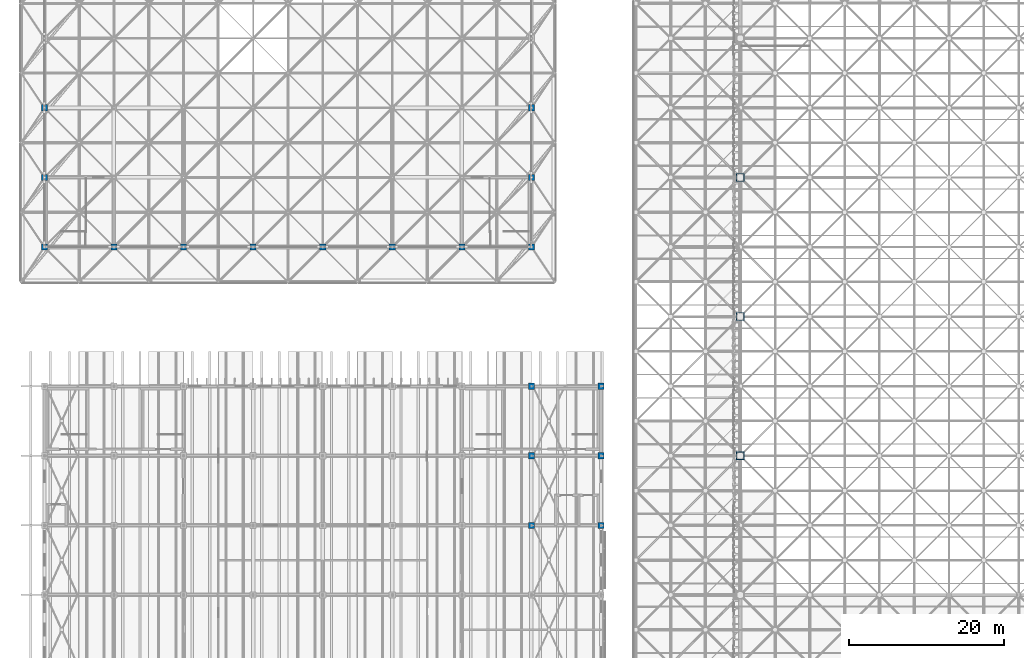
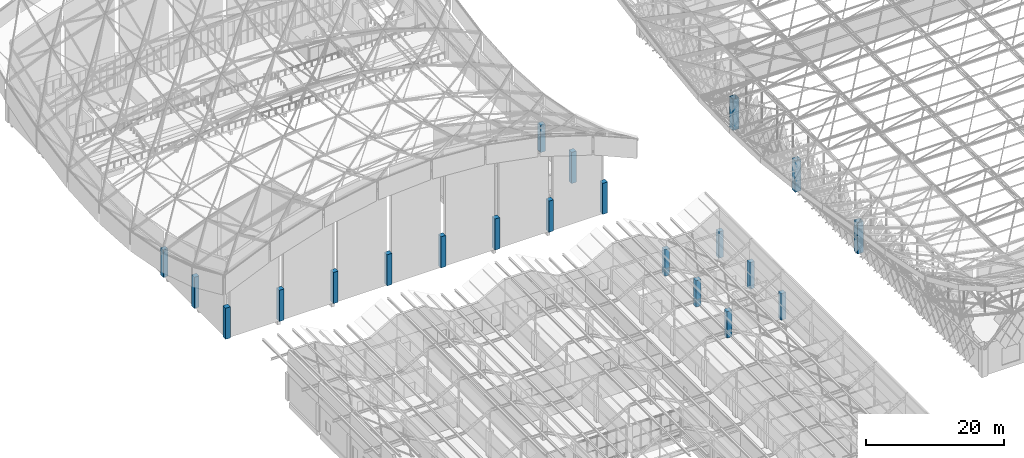
# One storey, part 3 of 437: 21 columns.
"""IFC4 building model written with IfcOpenShell, lengths in metres."""

from ifc_helpers import new_model, si_unit, direction, frame, origin, origin_2d, place, context, subcontext, project, spatial, rectangle, hollow_rectangle, extrude, material, material_profile, profile_set, type_object, element, save


model = new_model("IFC4")

# Units and contexts
model_context = context("Model", 3, precision=1e-05, world=origin(), true_north=direction((0.0, 1.0)))
body_context = subcontext(model_context, "Body", "Model", "MODEL_VIEW")
ifc_project = project(units=[si_unit("LENGTHUNIT", "METRE"), si_unit("AREAUNIT", "SQUARE_METRE"), si_unit("VOLUMEUNIT", "CUBIC_METRE"), si_unit("PLANEANGLEUNIT", "RADIAN"), si_unit("MASSUNIT", "GRAM", prefix="KILO")], contexts=[model_context])

# Site, building, storey
site_placement = place(None, origin())
site = spatial("IfcSite", under=ifc_project, at=site_placement, CompositionType="ELEMENT")
building_placement = place(site_placement, origin())
building = spatial("IfcBuilding", under=site, at=building_placement, Name="Opaline Strait Convention Centre", CompositionType="ELEMENT")
storey_placement = place(building_placement, frame((0.0, 0.0, 11.5)))
storey = spatial("IfcBuildingStorey", under=building, at=storey_placement, Name="L02", CompositionType="ELEMENT", Elevation=11.5)

# Columns
ifc_material_1 = material(Name="Steel Q355B", Category="steel")
ifc_material_profile_1 = material_profile(ifc_material_1, hollow_rectangle(XDim=1.0, YDim=1.0, WallThickness=0.031982421875, at=origin_2d()), Name="BOX 1000x1000x32")
ifc_profile_set_1 = profile_set([ifc_material_profile_1], Name="Steel Q355B")
column_type_1 = type_object("IfcColumnType", Name="CFT column BOX 1000x1000x32 C60 fill", PredefinedType="COLUMN", material=ifc_profile_set_1)
for number, where, z_axis, x_axis, name in (
    (1, (99.0, 90.0, 0.0), (0.0, 0.0, 1.0), (1.0, 0.0, 0.0), "Roof column XC-03"),
    (2, (99.0, 108.0, 0.0), (0.0, 0.0, 1.0), (1.0, 0.0, 0.0), "Roof column XC-04"),
    (3, (99.0, 126.0, 0.0), (0.0, 0.0, 1.0), (1.0, 0.0, 0.0), "Roof column XC-05"),
):
    element("IfcColumn", number, at=place(storey_placement, frame(where, z_axis=z_axis, x_axis=x_axis)), inside=storey, type_object=column_type_1, Name=name, ObjectType="XC1", PredefinedType="COLUMN", context=body_context, shape_type="SweptSolid", body=[
        extrude(hollow_rectangle(XDim=1.0, YDim=1.0, WallThickness=0.031982421875, at=origin_2d()), origin(), (0.0, 0.0, 1.0), 5.5),
    ])
ifc_material_2 = material(Name="Concrete C40", Category="concrete")
ifc_material_profile_2 = material_profile(ifc_material_2, rectangle(XDim=0.800048828125, YDim=0.800048828125, at=origin_2d()), Name="RC 800x800")
ifc_profile_set_2 = profile_set([ifc_material_profile_2], Name="Concrete C40")
column_type_2 = type_object("IfcColumnType", Name="RC column 800x800 C40", PredefinedType="COLUMN", material=ifc_profile_set_2)
for number, where, z_axis, x_axis, name in (
    (4, (9.0, 117.0, 0.0), (0.0, 0.0, 1.0), (1.0, 0.0, 0.0), "XC2 L02 at 2/P"),
    (5, (18.0, 117.0, 0.0), (0.0, 0.0, 1.0), (1.0, 0.0, 0.0), "XC2 L02 at 3/P"),
    (6, (27.0, 117.0, 0.0), (0.0, 0.0, 1.0), (1.0, 0.0, 0.0), "XC2 L02 at 4/P"),
    (7, (36.0, 117.0, 0.0), (0.0, 0.0, 1.0), (1.0, 0.0, 0.0), "XC2 L02 at 5/P"),
    (8, (45.0, 117.0, 0.0), (0.0, 0.0, 1.0), (1.0, 0.0, 0.0), "XC2 L02 at 6/P"),
    (9, (54.0, 117.0, 0.0), (0.0, 0.0, 1.0), (1.0, 0.0, 0.0), "XC2 L02 at 7/P"),
    (10, (63.0, 117.0, 0.0), (0.0, 0.0, 1.0), (1.0, 0.0, 0.0), "XC2 L02 at 8/P"),
    (11, (72.0, 117.0, 0.0), (0.0, 0.0, 1.0), (1.0, 0.0, 0.0), "XC2 L02 at 9/P"),
    (12, (9.0, 126.0, 0.0), (0.0, 0.0, 1.0), (1.0, 0.0, 0.0), "XC2 L02 at 2/Q"),
    (13, (72.0, 126.0, 0.0), (0.0, 0.0, 1.0), (1.0, 0.0, 0.0), "XC2 L02 at 9/Q"),
):
    element("IfcColumn", number, at=place(storey_placement, frame(where, z_axis=z_axis, x_axis=x_axis)), inside=storey, type_object=column_type_2, Name=name, PredefinedType="COLUMN", context=body_context, shape_type="SweptSolid", body=[
        extrude(rectangle(XDim=0.800048828125, YDim=0.800048828125, at=origin_2d()), origin(), (0.0, 0.0, 1.0), 5.5),
    ])
for number, where, z_axis, x_axis, name in (
    (14, (9.0, 135.0, 0.0), (0.0, 0.0, 1.0), (1.0, 0.0, 0.0), "XC2 L02 at 2/R"),
    (15, (72.0, 135.0, 0.0), (0.0, 0.0, 1.0), (1.0, 0.0, 0.0), "XC2 L02 at 9/R"),
):
    element("IfcColumn", number, at=place(storey_placement, frame(where, z_axis=z_axis, x_axis=x_axis)), inside=storey, type_object=column_type_2, Name=name, PredefinedType="COLUMN", context=body_context, shape_type="SweptSolid", body=[
        extrude(rectangle(XDim=0.800048828125, YDim=0.800048828125, at=origin_2d()), origin(), (0.0, 0.0, 1.0), 4.82568359375),
    ])
for number, where, z_axis, x_axis, name in (
    (16, (72.0, 81.0, 0.0), (0.0, 0.0, 1.0), (1.0, 0.0, 0.0), "RC1 L02 at 72/81"),
    (17, (72.0, 90.0, 0.0), (0.0, 0.0, 1.0), (1.0, 0.0, 0.0), "RC1 L02 at 72/90"),
    (18, (72.0, 99.0, 0.0), (0.0, 0.0, 1.0), (1.0, 0.0, 0.0), "RC1 L02 at 72/99"),
    (19, (81.0, 81.0, 0.0), (0.0, 0.0, 1.0), (1.0, 0.0, 0.0), "RC1 L02 at 81/81"),
    (20, (81.0, 90.0, 0.0), (0.0, 0.0, 1.0), (1.0, 0.0, 0.0), "RC1 L02 at 81/90"),
    (21, (81.0, 99.0, 0.0), (0.0, 0.0, 1.0), (1.0, 0.0, 0.0), "RC1 L02 at 81/99"),
):
    element("IfcColumn", number, at=place(storey_placement, frame(where, z_axis=z_axis, x_axis=x_axis)), inside=storey, type_object=column_type_2, Name=name, PredefinedType="COLUMN", context=body_context, shape_type="SweptSolid", body=[
        extrude(rectangle(XDim=0.800048828125, YDim=0.800048828125, at=origin_2d()), origin(), (0.0, 0.0, 1.0), 4.669921875),
    ])

save(model, "model.ifc")
